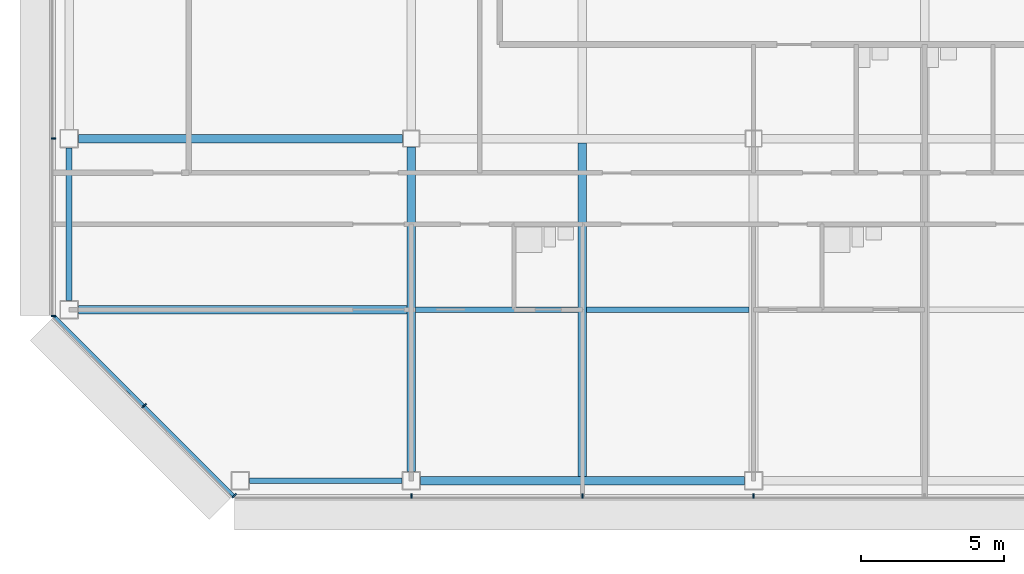
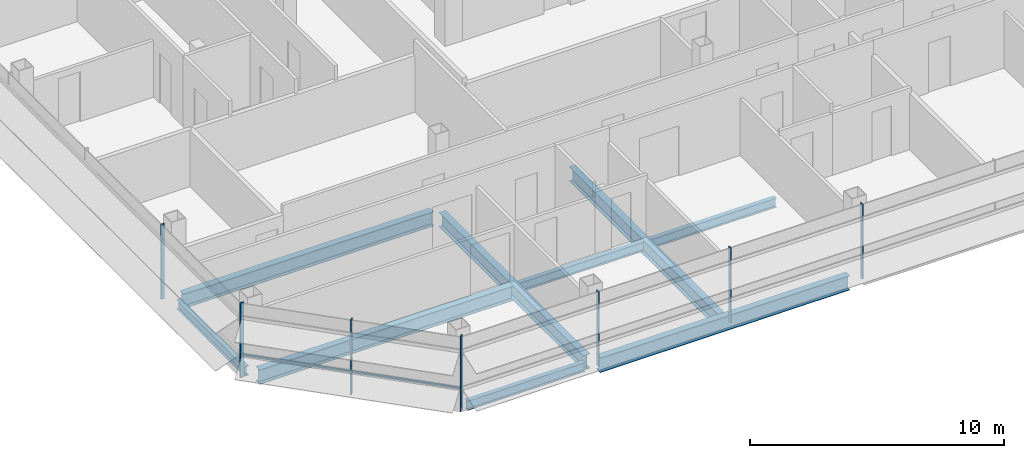
# One storey, part 2 of 27: 9 beams, 8 members, 3 elements without a shape of their own.
"""IFC4 building model written with IfcOpenShell, lengths in metres."""

import ifcopenshell
import ifcopenshell.guid

model = None  # the IFC model being written
_history = None  # IfcOwnerHistory: only IFC2X3 demands one
_inside = {}  # id of a spatial element -> (the spatial element, [elements in it])
_under = {}  # id of a project, library or spatial element -> (it, [spatial elements below it])
_declared = {}  # id of a project -> (the project, [libraries it declares])
_typed = {}  # id of a type object -> (the type object, [elements of that type])
_made_of = {}  # id of a material, layer set ... -> (it, [elements and type objects made of it])


def new_model(schema):
    """Start an empty IFC model of exactly this schema.

    Asked for "IFC4X3", IfcOpenShell would pick the latest addendum, in which some entities
    have other attributes; the version numbers below select the first issue.
    IFC2X3 requires an IfcOwnerHistory on every rooted entity: one is made here for all.
    """
    global model, _history
    if schema == "IFC4X3":
        model = ifcopenshell.file(schema_version=(4, 3, 0, 0))
    else:
        model = ifcopenshell.file(schema=schema)
    _inside.clear()
    _under.clear()
    _declared.clear()
    _typed.clear()
    _made_of.clear()
    _history = None
    if model.schema == "IFC2X3":
        org = make("IfcOrganization", Name="unknown")
        user = make(
            "IfcPersonAndOrganization",
            ThePerson=make("IfcPerson", FamilyName="unknown"),
            TheOrganization=org,
        )
        app = make(
            "IfcApplication",
            ApplicationDeveloper=org,
            Version="unknown",
            ApplicationFullName="unknown",
            ApplicationIdentifier="unknown",
        )
        _history = make(
            "IfcOwnerHistory",
            OwningUser=user,
            OwningApplication=app,
            ChangeAction="ADDED",
            CreationDate=0,
        )
    return model


def make(cls, **values):
    """One entity of the class cls with the attributes given. An attribute that is None is left unset."""
    return model.create_entity(
        cls, **{name: value for name, value in values.items() if value is not None}
    )


def rooted(cls, **values):
    """An entity with a GlobalId (a new one), such as an element, a storey or a relation."""
    return make(cls, GlobalId=ifcopenshell.guid.new(), OwnerHistory=_history, **values)


def si_unit(unit_type, name, prefix=None):
    """IfcSIUnit, for example si_unit("LENGTHUNIT", "METRE", prefix="MILLI")."""
    return make("IfcSIUnit", UnitType=unit_type, Prefix=prefix, Name=name)


def assignment(units):
    """IfcUnitAssignment: the units of a project."""
    return None if units is None else make("IfcUnitAssignment", Units=units)


def point(xyz):
    """IfcCartesianPoint."""
    return None if xyz is None else make("IfcCartesianPoint", Coordinates=xyz)


def direction(xyz):
    """IfcDirection."""
    return None if xyz is None else make("IfcDirection", DirectionRatios=xyz)


def frame(location, z_axis=None, x_axis=None):
    """IfcAxis2Placement3D, a coordinate frame: its origin and axes. An axis left out is left unset."""
    return make(
        "IfcAxis2Placement3D",
        Location=point(location),
        Axis=direction(z_axis),
        RefDirection=direction(x_axis),
    )


def frame_2d(location, x_axis=None):
    """IfcAxis2Placement2D, a coordinate frame in the plane: its origin and x axis."""
    return make(
        "IfcAxis2Placement2D", Location=point(location), RefDirection=direction(x_axis)
    )


def origin():
    """The frame at (0, 0, 0) with its axes left unset."""
    return frame((0.0, 0.0, 0.0))


def origin_2d():
    """The frame at (0, 0) in the plane with its x axis left unset."""
    return frame_2d((0.0, 0.0))


def place(relative_to, where):
    """IfcLocalPlacement: puts the frame where relative to a parent placement (None: the world)."""
    return make(
        "IfcLocalPlacement", PlacementRelTo=relative_to, RelativePlacement=where
    )


def context(
    kind, dimensions, precision=None, world=None, true_north=None, identifier=None
):
    """IfcGeometricRepresentationContext, for example the 3D "Model" context."""
    return make(
        "IfcGeometricRepresentationContext",
        ContextIdentifier=identifier,
        ContextType=kind,
        CoordinateSpaceDimension=dimensions,
        Precision=precision,
        WorldCoordinateSystem=world,
        TrueNorth=true_north,
    )


def subcontext(parent, identifier, kind, view, scale=None):
    """IfcGeometricRepresentationSubContext, for example "Body" below "Model"."""
    return make(
        "IfcGeometricRepresentationSubContext",
        ContextIdentifier=identifier,
        ContextType=kind,
        ParentContext=parent,
        TargetScale=scale,
        TargetView=view,
    )


def project(units=None, contexts=None):
    """IfcProject with its units and contexts."""
    return rooted(
        "IfcProject",
        Name="project",
        RepresentationContexts=contexts,
        UnitsInContext=assignment(units),
    )


def spatial(cls, under=None, at=None, **own):
    """A site, building, storey or space (cls), placed at a placement, below another one or the project."""
    s = rooted(cls, ObjectPlacement=at, **own)
    if under is not None:
        _under.setdefault(under.id(), (under, []))[1].append(s)
    return s


def profile(cls, at=None, kind="AREA", **sizes):
    """A parametric profile (cls). Its sizes go by their IFC names, for example OverallWidth=200.0."""
    return make(cls, ProfileType=kind, Position=at, **sizes)


def rectangle(**sizes):
    """IfcRectangleProfileDef."""
    return profile("IfcRectangleProfileDef", **sizes)


def i_section(**sizes):
    """IfcIShapeProfileDef."""
    return profile("IfcIShapeProfileDef", **sizes)


def extrude(swept, where, along, depth):
    """IfcExtrudedAreaSolid: the profile swept, set in the frame where, extruded along a direction by depth."""
    return make(
        "IfcExtrudedAreaSolid",
        SweptArea=swept,
        Position=where,
        ExtrudedDirection=direction(along),
        Depth=depth,
    )


def shape(context_of_items, identifier, shape_type, items):
    """IfcShapeRepresentation: the items that make up one representation, for example the "Body"."""
    return make(
        "IfcShapeRepresentation",
        ContextOfItems=context_of_items,
        RepresentationIdentifier=identifier,
        RepresentationType=shape_type,
        Items=items,
    )


def material(Name=None, Category=None):
    """IfcMaterial."""
    return make("IfcMaterial", Name=Name, Category=Category)


def material_profile(
    of_material, cross_section, Name=None, Category=None, Priority=None
):
    """IfcMaterialProfile: a cross section and its material."""
    return make(
        "IfcMaterialProfile",
        Name=Name,
        Material=of_material,
        Profile=cross_section,
        Priority=Priority,
        Category=Category,
    )


def profile_set(profiles, Name=None, composite=None):
    """IfcMaterialProfileSet."""
    return make(
        "IfcMaterialProfileSet",
        Name=Name,
        MaterialProfiles=profiles,
        CompositeProfile=composite,
    )


def made_of(thing, what):
    """Note that an element or type object is made of a material, layer set ...; save() writes the relation."""
    if what is not None:
        _made_of.setdefault(what.id(), (what, []))[1].append(thing)
    return thing


def type_object(cls, material=None, **own):
    """A type object (cls), such as IfcWallType, which elements share."""
    return made_of(rooted(cls, **own), material)


def element(
    cls,
    number,
    at=None,
    inside=None,
    cuts=None,
    type_object=None,
    material=None,
    context=None,
    identifier="Body",
    shape_type=None,
    held_by="IfcProductDefinitionShape",
    body=None,
    shapes=None,
    **own,
):
    """One element of the class cls, such as IfcWall. Its Tag is "e" and its number.

    at: its placement. inside: the storey or other place that contains it. cuts: it is an
    opening in that element (IfcRelVoidsElement). A single representation is given by context,
    identifier, shape_type and body (its items); several are given by shapes. held_by: the class
    of the entity that holds the representations. save() writes the other relations.
    """
    e = rooted(cls, Tag="e%d" % number, ObjectPlacement=at, **own)
    if body is not None:
        shapes = [shape(context, identifier, shape_type, body)]
    if shapes is not None:
        e.Representation = make(held_by, Representations=shapes)
    if inside is not None:
        _inside.setdefault(inside.id(), (inside, []))[1].append(e)
    if cuts is not None:
        rooted(
            "IfcRelVoidsElement", RelatingBuildingElement=cuts, RelatedOpeningElement=e
        )
    if type_object is not None:
        _typed.setdefault(type_object.id(), (type_object, []))[1].append(e)
    return made_of(e, material)


def aggregate(whole, parts):
    """IfcRelAggregates: a whole, such as a stair, and the parts it consists of."""
    return rooted("IfcRelAggregates", RelatingObject=whole, RelatedObjects=parts)


def save(model, path):
    """Write the relations noted so far, then the file.

    IfcRelAggregates (storeys below a building ...), IfcRelContainedInSpatialStructure (elements
    in a storey), IfcRelDefinesByType, IfcRelAssociatesMaterial and IfcRelDeclares: one each for
    every whole, place, type object, material and project.
    """
    for whole, parts in _under.values():
        aggregate(whole, parts)
    for where, things in _inside.values():
        rooted(
            "IfcRelContainedInSpatialStructure",
            RelatedElements=things,
            RelatingStructure=where,
        )
    for kind, things in _typed.values():
        rooted("IfcRelDefinesByType", RelatedObjects=things, RelatingType=kind)
    for what, things in _made_of.values():
        rooted("IfcRelAssociatesMaterial", RelatedObjects=things, RelatingMaterial=what)
    for by, libraries in _declared.values():
        rooted("IfcRelDeclares", RelatingContext=by, RelatedDefinitions=libraries)
    model.write(path)


model = new_model("IFC4")

# Units and contexts
model_context = context("Model", 3, precision=1e-05, world=origin(), true_north=direction((0.0, 1.0)))
body_context = subcontext(model_context, "Body", "Model", "MODEL_VIEW")
ifc_project = project(units=[si_unit("LENGTHUNIT", "METRE"), si_unit("AREAUNIT", "SQUARE_METRE"), si_unit("VOLUMEUNIT", "CUBIC_METRE"), si_unit("PLANEANGLEUNIT", "RADIAN"), si_unit("MASSUNIT", "GRAM", prefix="KILO")], contexts=[model_context])

# Site, building, storey
site_placement = place(None, origin())
site = spatial("IfcSite", under=ifc_project, at=site_placement, CompositionType="ELEMENT")
building_placement = place(site_placement, origin())
building = spatial("IfcBuilding", under=site, at=building_placement, Name="Sorahane Residences", CompositionType="ELEMENT")
storey_placement = place(building_placement, frame((0.0, 0.0, 202.800048828125)))
storey = spatial("IfcBuildingStorey", under=building, at=storey_placement, Name="L47", CompositionType="ELEMENT", Elevation=202.800048828125)

# Curtain wall, members
ifc_material_1 = material(Name="Dark low-e glass and black anodised aluminium", Category="aluminium")
curtain_wall_type_1 = type_object("IfcCurtainWallType", Name="Curtain wall CW-1 Typical unitised wall", PredefinedType="NOTDEFINED", material=ifc_material_1)
curtain_wall_1_placement = place(storey_placement, origin())
curtain_wall_1 = element("IfcCurtainWall", 1, at=curtain_wall_1_placement, inside=storey, type_object=curtain_wall_type_1, Name="CW-1 curtain wall L47 S1", PredefinedType="NOTDEFINED")
ifc_material_2 = material(Name="Black anodised aluminium", Category="aluminium")
ifc_material_profile_1 = material_profile(ifc_material_2, rectangle(XDim=0.159912109375, YDim=0.050048828125, at=origin_2d()), Name="Curtain wall mullion CW-1 black anodised aluminium 50x160")
ifc_profile_set_1 = profile_set([ifc_material_profile_1], Name="Black anodised aluminium")
member_type_1 = type_object("IfcMemberType", Name="Curtain wall mullion CW-1 black anodised aluminium 50x160", PredefinedType="MULLION", material=ifc_profile_set_1)
member_1_placement = place(storey_placement, frame((0.0, -0.5400390625, -0.179931640625), z_axis=(0.0, 0.0, 1.0), x_axis=(0.0, -1.0, 0.0)))
member_1 = element("IfcMember", 2, at=member_1_placement, type_object=member_type_1, Name="CW-1 mullion L47 S1.2", PredefinedType="MULLION", context=body_context, shape_type="SweptSolid", body=[
    extrude(rectangle(XDim=0.159912109375, YDim=0.050048828125, at=origin_2d()), origin(), (0.0, 0.0, 1.0), 3.599853515625),
])
member_2_placement = place(storey_placement, frame((6.0, -0.5400390625, -0.179931640625), z_axis=(0.0, 0.0, 1.0), x_axis=(0.0, -1.0, 0.0)))
member_2 = element("IfcMember", 3, at=member_2_placement, type_object=member_type_1, Name="CW-1 mullion L47 S1.3", PredefinedType="MULLION", context=body_context, shape_type="SweptSolid", body=[
    extrude(rectangle(XDim=0.159912109375, YDim=0.050048828125, at=origin_2d()), origin(), (0.0, 0.0, 1.0), 3.599853515625),
])
member_3_placement = place(storey_placement, frame((12.0, -0.5400390625, -0.179931640625), z_axis=(0.0, 0.0, 1.0), x_axis=(0.0, -1.0, 0.0)))
member_3 = element("IfcMember", 4, at=member_3_placement, type_object=member_type_1, Name="CW-1 mullion L47 S1.4", PredefinedType="MULLION", context=body_context, shape_type="SweptSolid", body=[
    extrude(rectangle(XDim=0.159912109375, YDim=0.050048828125, at=origin_2d()), origin(), (0.0, 0.0, 1.0), 3.599853515625),
])
aggregate(curtain_wall_1, [member_1, member_2, member_3])

curtain_wall_2_placement = place(storey_placement, origin())
curtain_wall_2 = element("IfcCurtainWall", 5, at=curtain_wall_2_placement, inside=storey, type_object=curtain_wall_type_1, Name="CW-1 curtain wall L47 W1", PredefinedType="NOTDEFINED")
member_4_placement = place(storey_placement, frame((-12.5400390625, 12.0, -0.179931640625), z_axis=(0.0, 0.0, 1.0), x_axis=(-1.0, 0.0, 0.0)))
member_4 = element("IfcMember", 6, at=member_4_placement, type_object=member_type_1, Name="CW-1 mullion L47 W1.6", PredefinedType="MULLION", context=body_context, shape_type="SweptSolid", body=[
    extrude(rectangle(XDim=0.159912109375, YDim=0.050048828125, at=origin_2d()), origin(), (0.0, 0.0, 1.0), 3.599853515625),
])
member_5_placement = place(storey_placement, frame((-12.5400390625, 5.7763671875, -0.179931640625), z_axis=(0.0, 0.0, 1.0), x_axis=(-1.0, 0.0, 0.0)))
member_5 = element("IfcMember", 7, at=member_5_placement, type_object=member_type_1, Name="CW-1 mullion L47 W1.7", PredefinedType="MULLION", context=body_context, shape_type="SweptSolid", body=[
    extrude(rectangle(XDim=0.159912109375, YDim=0.050048828125, at=origin_2d()), origin(), (0.0, 0.0, 1.0), 3.599853515625),
])
aggregate(curtain_wall_2, [member_4, member_5])

ifc_material_3 = material(Name="Dark low-e glass and black anodised aluminium", Category="aluminium")
curtain_wall_type_2 = type_object("IfcCurtainWallType", Name="Curtain wall CW-2 Chamfer unitised wall", PredefinedType="NOTDEFINED", material=ifc_material_3)
curtain_wall_3_placement = place(storey_placement, origin())
curtain_wall_3 = element("IfcCurtainWall", 8, at=curtain_wall_3_placement, inside=storey, type_object=curtain_wall_type_2, Name="CW-2 curtain wall L47 SW1", PredefinedType="NOTDEFINED")
ifc_material_4 = material(Name="Black anodised aluminium", Category="aluminium")
ifc_material_profile_2 = material_profile(ifc_material_4, rectangle(XDim=0.199951171875, YDim=0.050048828125, at=origin_2d()), Name="Curtain wall mullion CW-2 black anodised aluminium 50x200")
ifc_profile_set_2 = profile_set([ifc_material_profile_2], Name="Black anodised aluminium")
member_type_2 = type_object("IfcMemberType", Name="Curtain wall mullion CW-2 black anodised aluminium 50x200", PredefinedType="MULLION", material=ifc_profile_set_2)
member_6_placement = place(storey_placement, frame((-9.36767578125, 2.63232421875, -0.179931640625), z_axis=(0.0, 0.0, 1.0), x_axis=(-0.707106781187, -0.707106781187, 0.0)))
member_6 = element("IfcMember", 9, at=member_6_placement, type_object=member_type_2, Name="CW-2 mullion L47 SW1.2", PredefinedType="MULLION", context=body_context, shape_type="SweptSolid", body=[
    extrude(rectangle(XDim=0.199951171875, YDim=0.050048828125, at=origin_2d()), origin(), (0.0, 0.0, 1.0), 3.599853515625),
])
member_7_placement = place(storey_placement, frame((-6.209716796875, -0.525634765625, -0.179931640625), z_axis=(0.0, 0.0, 1.0), x_axis=(-0.707106781187, -0.707106781187, 0.0)))
member_7 = element("IfcMember", 10, at=member_7_placement, type_object=member_type_2, Name="CW-2 mullion L47 SW1.3", PredefinedType="MULLION", context=body_context, shape_type="SweptSolid", body=[
    extrude(rectangle(XDim=0.199951171875, YDim=0.050048828125, at=origin_2d()), origin(), (0.0, 0.0, 1.0), 3.599853515625),
])
ifc_material_5 = material(Name="Black anodised aluminium", Category="aluminium")
ifc_material_profile_3 = material_profile(ifc_material_5, rectangle(XDim=0.10009765625, YDim=0.06005859375, at=origin_2d()), Name="Curtain wall transom CW-2 black anodised aluminium 60x100")
ifc_profile_set_3 = profile_set([ifc_material_profile_3], Name="Black anodised aluminium")
member_type_3 = type_object("IfcMemberType", Name="Curtain wall transom CW-2 black anodised aluminium 60x100", PredefinedType="USERDEFINED", material=ifc_profile_set_3)
member_8_placement = place(storey_placement, frame((-12.51513671875, 5.765625, 0.89990234375), z_axis=(0.707106781187, -0.707106781187, 0.0), x_axis=(0.707106781187, 0.707106781187, 0.0)))
member_8 = element("IfcMember", 11, at=member_8_placement, type_object=member_type_3, Name="CW-2 transom L47 SW1", ObjectType="TRANSOM", PredefinedType="USERDEFINED", context=body_context, shape_type="SweptSolid", body=[
    extrude(rectangle(XDim=0.10009765625, YDim=0.06005859375, at=origin_2d()), origin(), (0.0, 0.0, 1.0), 8.88232421875),
])
aggregate(curtain_wall_3, [member_6, member_7, member_8])

# Beams
ifc_material_6 = material(Name="Steel Q355B", Category="steel")
ifc_material_profile_4 = material_profile(ifc_material_6, i_section(OverallWidth=0.199951171875, OverallDepth=0.449951171875, WebThickness=0.009033203125, FlangeThickness=0.013916015625, FilletRadius=0.02001953125, at=origin_2d()), Name="HN 450x200x9x14")
ifc_profile_set_4 = profile_set([ifc_material_profile_4], Name="Steel Q355B")
beam_type_1 = type_object("IfcBeamType", Name="Steel floor beam HN 450x200x9x14 Q355B", PredefinedType="BEAM", material=ifc_profile_set_4)
for number, where, z_axis, x_axis, name in (
    (12, (-5.675048828125, 0.0, -0.405029296875), (1.0, 0.0, 0.0), (0.0, 1.0, 0.0), "Beam L47 000"),
    (13, (-12.0, 6.324951171875, -0.405029296875), (0.0, 1.0, 0.0), (-1.0, 0.0, 0.0), "Beam L47 020"),
):
    element("IfcBeam", number, at=place(storey_placement, frame(where, z_axis=z_axis, x_axis=x_axis)), inside=storey, type_object=beam_type_1, Name=name, PredefinedType="BEAM", context=body_context, shape_type="SweptSolid", body=[
        extrude(i_section(OverallWidth=0.199951171875, OverallDepth=0.449951171875, WebThickness=0.009033203125, FlangeThickness=0.013916015625, FilletRadius=0.02001953125, at=origin_2d()), origin(), (0.0, 0.0, 1.0), 5.35009765625),
    ])
for number, where, z_axis, x_axis, name in (
    (14, (0.14990234375, 6.0, -0.405029296875), (1.0, 0.0, 0.0), (0.0, 1.0, 0.0), "Beam L47 069"),
    (15, (6.14990234375, 6.0, -0.405029296875), (1.0, 0.0, 0.0), (0.0, 1.0, 0.0), "Beam L47 070"),
):
    element("IfcBeam", number, at=place(storey_placement, frame(where, z_axis=z_axis, x_axis=x_axis)), inside=storey, type_object=beam_type_1, Name=name, PredefinedType="BEAM", context=body_context, shape_type="SweptSolid", body=[
        extrude(i_section(OverallWidth=0.199951171875, OverallDepth=0.449951171875, WebThickness=0.009033203125, FlangeThickness=0.013916015625, FilletRadius=0.02001953125, at=origin_2d()), origin(), (0.0, 0.0, 1.0), 5.7001953125),
    ])
ifc_material_7 = material(Name="Steel Q355B", Category="steel")
ifc_material_profile_5 = material_profile(ifc_material_7, i_section(OverallWidth=0.300048828125, OverallDepth=0.699951171875, WebThickness=0.012939453125, FlangeThickness=0.02392578125, FilletRadius=0.028076171875, at=origin_2d()), Name="HN 700x300x13x24")
ifc_profile_set_5 = profile_set([ifc_material_profile_5], Name="Steel Q355B")
beam_type_2 = type_object("IfcBeamType", Name="Steel floor beam HN 700x300x13x24 Q355B", PredefinedType="BEAM", material=ifc_profile_set_5)
beam_1_placement = place(storey_placement, frame((0.324951171875, 0.0, -0.530029296875), z_axis=(1.0, 0.0, 0.0), x_axis=(0.0, 1.0, 0.0)))
element("IfcBeam", 16, at=beam_1_placement, inside=storey, type_object=beam_type_2, Name="Beam L47 001", PredefinedType="BEAM", context=body_context, shape_type="SweptSolid", body=[
    extrude(i_section(OverallWidth=0.300048828125, OverallDepth=0.699951171875, WebThickness=0.012939453125, FlangeThickness=0.02392578125, FilletRadius=0.028076171875, at=origin_2d()), origin(), (0.0, 0.0, 1.0), 11.35009765625),
])
for number, where, z_axis, x_axis, name in (
    (17, (-11.675048828125, 12.0, -0.530029296875), (1.0, 0.0, 0.0), (0.0, 1.0, 0.0), "Beam L47 005"),
    (18, (0.0, 0.324951171875, -0.530029296875), (0.0, 1.0, 0.0), (-1.0, 0.0, 0.0), "Beam L47 024"),
):
    element("IfcBeam", number, at=place(storey_placement, frame(where, z_axis=z_axis, x_axis=x_axis)), inside=storey, type_object=beam_type_2, Name=name, PredefinedType="BEAM", context=body_context, shape_type="SweptSolid", body=[
        extrude(i_section(OverallWidth=0.300048828125, OverallDepth=0.699951171875, WebThickness=0.012939453125, FlangeThickness=0.02392578125, FilletRadius=0.028076171875, at=origin_2d()), origin(), (0.0, 0.0, 1.0), 11.375),
    ])
beam_2_placement = place(storey_placement, frame((6.0, 0.14990234375, -0.530029296875), z_axis=(0.0, 1.0, 0.0), x_axis=(-1.0, 0.0, 0.0)))
element("IfcBeam", 19, at=beam_2_placement, inside=storey, type_object=beam_type_2, Name="Beam L47 028", PredefinedType="BEAM", context=body_context, shape_type="SweptSolid", body=[
    extrude(i_section(OverallWidth=0.300048828125, OverallDepth=0.699951171875, WebThickness=0.012939453125, FlangeThickness=0.02392578125, FilletRadius=0.028076171875, at=origin_2d()), origin(), (0.0, 0.0, 1.0), 11.7001953125),
])
beam_3_placement = place(storey_placement, frame((-11.675048828125, 6.0, -0.530029296875), z_axis=(1.0, 0.0, 0.0), x_axis=(0.0, 1.0, 0.0)))
element("IfcBeam", 20, at=beam_3_placement, inside=storey, type_object=beam_type_2, Name="Beam L47 068", PredefinedType="BEAM", context=body_context, shape_type="SweptSolid", body=[
    extrude(i_section(OverallWidth=0.300048828125, OverallDepth=0.699951171875, WebThickness=0.012939453125, FlangeThickness=0.02392578125, FilletRadius=0.028076171875, at=origin_2d()), origin(), (0.0, 0.0, 1.0), 11.525146484375),
])

save(model, "model.ifc")
